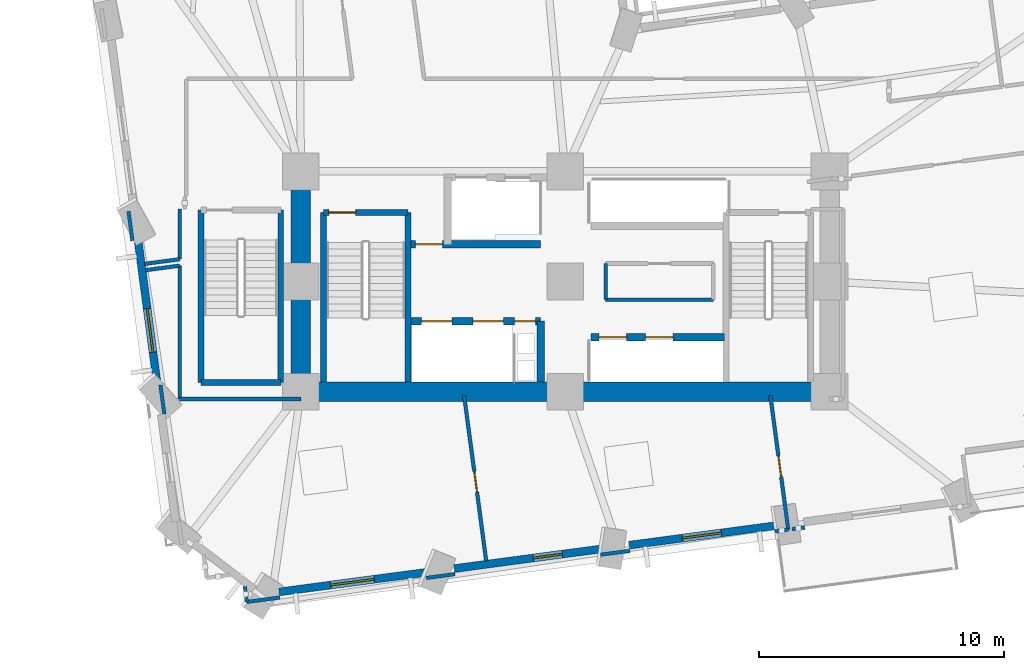
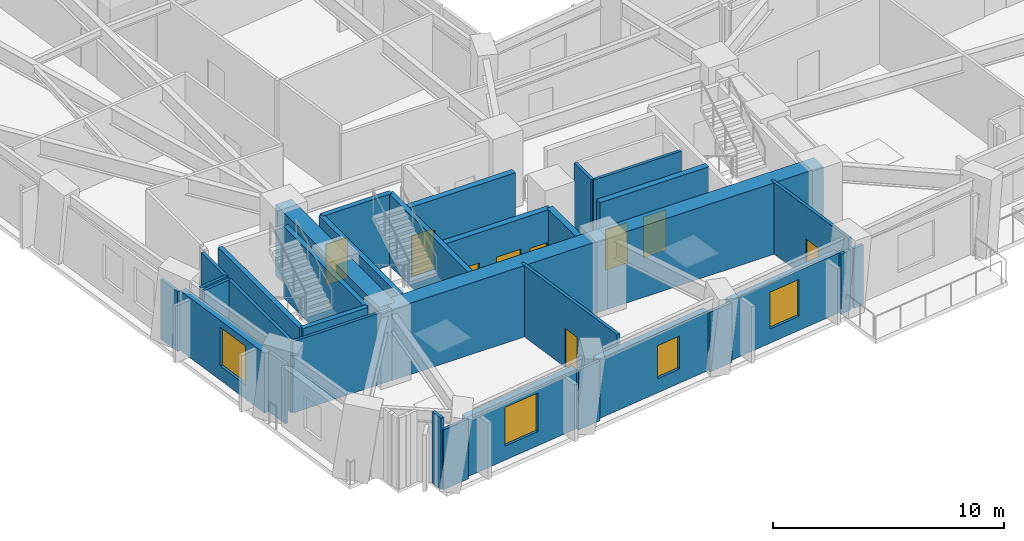
# One storey, part 6 of 14: 34 walls, 9 doors, 4 windows, 13 openings.
"""IFC4 building model written with IfcOpenShell, lengths in metres."""

from ifc_helpers import new_model, si_unit, direction, frame, frame_2d, origin, place, context, subcontext, project, spatial, rectangle, extrude, material, layer, layer_set, type_object, element, fill, save


model = new_model("IFC4")

# Units and contexts
model_context = context("Model", 3, precision=1e-05, world=origin(), true_north=direction((0.0, 1.0)))
body_context = subcontext(model_context, "Body", "Model", "MODEL_VIEW")
ifc_project = project(units=[si_unit("LENGTHUNIT", "METRE"), si_unit("AREAUNIT", "SQUARE_METRE"), si_unit("VOLUMEUNIT", "CUBIC_METRE"), si_unit("PLANEANGLEUNIT", "RADIAN"), si_unit("MASSUNIT", "GRAM", prefix="KILO")], contexts=[model_context])

# Site, building, storey
site_placement = place(None, origin())
site = spatial("IfcSite", under=ifc_project, at=site_placement, CompositionType="ELEMENT")
building_placement = place(site_placement, origin())
building = spatial("IfcBuilding", under=site, at=building_placement, Name="Gaonmaruhae Medical Tower", CompositionType="ELEMENT")
storey_placement = place(building_placement, frame((0.0, 0.0, 55.0)))
storey = spatial("IfcBuildingStorey", under=building, at=storey_placement, Name="L12", CompositionType="ELEMENT", Elevation=55.0)

# Walls
ifc_material_1 = material(Name="Concrete C60/75", Category="concrete")
ifc_layer_1 = layer(ifc_material_1, 0.800048828125)
ifc_layer_set_1 = layer_set([ifc_layer_1], Name="Concrete C60/75")
wall_type_1 = type_object("IfcWallType", Name="CW-800 Lower Core Shear Wall", PredefinedType="SHEAR", material=ifc_layer_set_1)
for number, where, z_axis, x_axis, name in (
    (1, (14.0, 7.800048828125, 0.0), (0.0, 0.0, 1.0), (1.0, 0.0, 0.0), "L12 Core Shear Wall CSW-S1"),
    (2, (24.800048828125, 7.800048828125, 0.0), (0.0, 0.0, 1.0), (1.0, 0.0, 0.0), "L12 Core Shear Wall CSW-S2"),
):
    element("IfcWall", number, at=place(storey_placement, frame(where, z_axis=z_axis, x_axis=x_axis)), inside=storey, type_object=wall_type_1, Name=name, PredefinedType="SHEAR", context=body_context, shape_type="SweptSolid", body=[
        extrude(rectangle(XDim=10.800048828125, YDim=0.800048828125, at=frame_2d((5.39990234375, 0.0))), origin(), (0.0, 0.0, 1.0), 3.780029296875),
    ])
wall_1_placement = place(storey_placement, frame((14.0, 16.800048828125, 0.0), z_axis=(0.0, 0.0, 1.0), x_axis=(0.0, -1.0, 0.0)))
element("IfcWall", 3, at=wall_1_placement, inside=storey, type_object=wall_type_1, Name="L12 Core Shear Wall CSW-W1", PredefinedType="SHEAR", context=body_context, shape_type="SweptSolid", body=[
    extrude(rectangle(XDim=9.0, YDim=0.800048828125, at=frame_2d((4.5, 0.0))), origin(), (0.0, 0.0, 1.0), 3.780029296875),
])

# Wall, opening, window
ifc_material_2 = material(Name="Precast concrete C45/55", Category="concrete")
ifc_layer_2 = layer(ifc_material_2, 0.320068359375)
ifc_layer_set_2 = layer_set([ifc_layer_2], Name="Precast concrete C45/55")
wall_type_2 = type_object("IfcWallType", Name="EW-320 Lower Precast Masonry-Frame Facade Wall", PredefinedType="SOLIDWALL", material=ifc_layer_set_2)
wall_2_placement = place(storey_placement, frame((19.091796875, 0.4169921875, 0.0), z_axis=(0.0, 0.0, 1.0), x_axis=(-0.991215529337, -0.132256472057, 0.0)))
wall_2 = element("IfcWall", 4, at=wall_2_placement, inside=storey, type_object=wall_type_2, Name="L12 Precast Masonry-Frame Wall S01-S02", PredefinedType="SOLIDWALL", context=body_context, shape_type="SweptSolid", body=[
    extrude(rectangle(XDim=6.034423828125, YDim=0.320068359375, at=frame_2d((3.01708984375, 0.0))), origin(), (0.0, 0.0, 1.0), 3.1650390625),
])
opening_1_placement = place(wall_2_placement, frame((2.11328125, 0.0, 0.75)))
opening_1 = element("IfcOpeningElement", 5, at=opening_1_placement, cuts=wall_2, Name="Opening WN-04", PredefinedType="OPENING", context=body_context, shape_type="SweptSolid", body=[
    extrude(rectangle(XDim=1.800048828125, YDim=2.050048828125, at=frame_2d((0.89990234375, 1.02490234375))), frame((0.0, 0.169921875, 0.0), z_axis=(0.0, -1.0, 0.0), x_axis=(1.0, 0.0, 0.0)), (0.0, 0.0, 1.0), 0.340087890625),
])
ifc_material_3 = material(Name="Anodised aluminium and Low-E double glazing", Category="aluminium")
window_type_1 = type_object("IfcWindowType", Name="WN-04 Clinic & Consult Punched Window 1800x2050", PartitioningType="SINGLE_PANEL", PredefinedType="WINDOW", material=ifc_material_3)
window_1_placement = place(opening_1_placement, origin())
window_1 = element("IfcWindow", 6, at=window_1_placement, inside=storey, type_object=window_type_1, Name="L12 Modular Facade Window S01", OverallHeight=2.050048828125, OverallWidth=1.800048828125, PartitioningType="SINGLE_PANEL", PredefinedType="WINDOW", context=body_context, shape_type="SweptSolid", body=[
    extrude(rectangle(XDim=1.800048828125, YDim=2.050048828125, at=frame_2d((0.89990234375, 1.02490234375))), frame((0.0, 0.030029296875, 0.0), z_axis=(0.0, -1.0, 0.0), x_axis=(1.0, 0.0, 0.0)), (0.0, 0.0, 1.0), 0.06005859375),
])
fill(opening_1, window_1)

wall_3_placement = place(storey_placement, frame((26.216796875, 1.36767578125, 0.0), z_axis=(0.0, 0.0, 1.0), x_axis=(-0.991217601536, -0.132240940729, 0.0)))
wall_3 = element("IfcWall", 7, at=wall_3_placement, inside=storey, type_object=wall_type_2, Name="L12 Precast Masonry-Frame Wall S02-S03", PredefinedType="SOLIDWALL", context=body_context, shape_type="SweptSolid", body=[
    extrude(rectangle(XDim=6.005615234375, YDim=0.320068359375, at=frame_2d((3.0029296875, 0.0))), origin(), (0.0, 0.0, 1.0), 3.1650390625),
])
opening_2_placement = place(wall_3_placement, frame((1.550048828125, 0.0, 0.75)))
opening_2 = element("IfcOpeningElement", 8, at=opening_2_placement, cuts=wall_3, Name="Opening WN-05", PredefinedType="OPENING", context=body_context, shape_type="SweptSolid", body=[
    extrude(rectangle(XDim=1.199951171875, YDim=1.75, at=frame_2d((0.60009765625, 0.875))), frame((0.0, 0.169921875, 0.0), z_axis=(0.0, -1.0, 0.0), x_axis=(1.0, 0.0, 0.0)), (0.0, 0.0, 1.0), 0.340087890625),
])
window_type_2 = type_object("IfcWindowType", Name="WN-05 Support & Staff Punched Window 1200x1750", PartitioningType="SINGLE_PANEL", PredefinedType="WINDOW", material=ifc_material_3)
window_2_placement = place(opening_2_placement, origin())
window_2 = element("IfcWindow", 9, at=window_2_placement, inside=storey, type_object=window_type_2, Name="L12 Modular Facade Window S02", OverallHeight=1.75, OverallWidth=1.199951171875, PartitioningType="SINGLE_PANEL", PredefinedType="WINDOW", context=body_context, shape_type="SweptSolid", body=[
    extrude(rectangle(XDim=1.199951171875, YDim=1.75, at=frame_2d((0.60009765625, 0.875))), frame((0.0, 0.030029296875, 0.0), z_axis=(0.0, -1.0, 0.0), x_axis=(1.0, 0.0, 0.0)), (0.0, 0.0, 1.0), 0.06005859375),
])
fill(opening_2, window_2)

wall_4_placement = place(storey_placement, frame((33.34814453125, 2.319091796875, 0.0), z_axis=(0.0, 0.0, 1.0), x_axis=(-0.991219354878, -0.132227797813, 0.0)))
wall_4 = element("IfcWall", 10, at=wall_4_placement, inside=storey, type_object=wall_type_2, Name="L12 Precast Masonry-Frame Wall S03-S04", PredefinedType="SOLIDWALL", context=body_context, shape_type="SweptSolid", body=[
    extrude(rectangle(XDim=5.989501953125, YDim=0.320068359375, at=frame_2d((2.99462890625, 0.0))), origin(), (0.0, 0.0, 1.0), 3.1650390625),
])
opening_3_placement = place(wall_4_placement, frame((2.193603515625, 0.0, 0.75)))
opening_3 = element("IfcOpeningElement", 11, at=opening_3_placement, cuts=wall_4, Name="Opening WN-01", PredefinedType="OPENING", context=body_context, shape_type="SweptSolid", body=[
    extrude(rectangle(XDim=1.60009765625, YDim=1.949951171875, at=frame_2d((0.800048828125, 0.97509765625))), frame((0.0, 0.169921875, 0.0), z_axis=(0.0, -1.0, 0.0), x_axis=(1.0, 0.0, 0.0)), (0.0, 0.0, 1.0), 0.340087890625),
])
window_type_3 = type_object("IfcWindowType", Name="WN-01 Ward Punched Acoustic Window 1600x1950", PartitioningType="SINGLE_PANEL", PredefinedType="WINDOW", material=ifc_material_3)
window_3_placement = place(opening_3_placement, origin())
window_3 = element("IfcWindow", 12, at=window_3_placement, inside=storey, type_object=window_type_3, Name="L12 Modular Facade Window S03", OverallHeight=1.949951171875, OverallWidth=1.60009765625, PartitioningType="SINGLE_PANEL", PredefinedType="WINDOW", context=body_context, shape_type="SweptSolid", body=[
    extrude(rectangle(XDim=1.60009765625, YDim=1.949951171875, at=frame_2d((0.800048828125, 0.97509765625))), frame((0.0, 0.030029296875, 0.0), z_axis=(0.0, -1.0, 0.0), x_axis=(1.0, 0.0, 0.0)), (0.0, 0.0, 1.0), 0.06005859375),
])
fill(opening_3, window_3)

wall_5_placement = place(storey_placement, frame((8.140869140625, 8.05615234375, 0.0), z_axis=(0.0, 0.0, 1.0), x_axis=(-0.132267717254, 0.991214028842, 0.0)))
wall_5 = element("IfcWall", 13, at=wall_5_placement, inside=storey, type_object=wall_type_2, Name="L12 Precast Masonry-Frame Wall W05-W06", PredefinedType="SOLIDWALL", context=body_context, shape_type="SweptSolid", body=[
    extrude(rectangle(XDim=5.9970703125, YDim=0.320068359375, at=frame_2d((2.99853515625, 0.0))), origin(), (0.0, 0.0, 1.0), 3.1650390625),
])
opening_4_placement = place(wall_5_placement, frame((1.3623046875, 0.0, 0.75)))
opening_4 = element("IfcOpeningElement", 14, at=opening_4_placement, cuts=wall_5, Name="Opening WN-04", PredefinedType="OPENING", context=body_context, shape_type="SweptSolid", body=[
    extrude(rectangle(XDim=1.800048828125, YDim=2.050048828125, at=frame_2d((0.89990234375, 1.02490234375))), frame((0.0, 0.169921875, 0.0), z_axis=(0.0, -1.0, 0.0), x_axis=(1.0, 0.0, 0.0)), (0.0, 0.0, 1.0), 0.340087890625),
])
window_4_placement = place(opening_4_placement, origin())
window_4 = element("IfcWindow", 15, at=window_4_placement, inside=storey, type_object=window_type_1, Name="L12 Modular Facade Window W05", OverallHeight=2.050048828125, OverallWidth=1.800048828125, PartitioningType="SINGLE_PANEL", PredefinedType="WINDOW", context=body_context, shape_type="SweptSolid", body=[
    extrude(rectangle(XDim=1.800048828125, YDim=2.050048828125, at=frame_2d((0.89990234375, 1.02490234375))), frame((0.0, 0.030029296875, 0.0), z_axis=(0.0, -1.0, 0.0), x_axis=(1.0, 0.0, 0.0)), (0.0, 0.0, 1.0), 0.06005859375),
])
fill(opening_4, window_4)

# Walls
ifc_material_4 = material(Name="Gypsum board partition", Category="gypsum")
ifc_layer_3 = layer(ifc_material_4, 0.14990234375)
ifc_layer_set_3 = layer_set([ifc_layer_3], Name="Gypsum board partition")
wall_type_3 = type_object("IfcWallType", Name="PW-150 Rated Clinical Corridor Partition", PredefinedType="PARTITIONING", material=ifc_layer_set_3)
wall_6_placement = place(storey_placement, frame((26.449951171875, 11.56005859375, 0.0), z_axis=(0.0, 0.0, 1.0), x_axis=(0.0, 1.0, 0.0)))
element("IfcWall", 16, at=wall_6_placement, inside=storey, type_object=wall_type_3, Name="L12 Interior Partition L12-CS1-1", PredefinedType="PARTITIONING", context=body_context, shape_type="SweptSolid", body=[
    extrude(rectangle(XDim=1.47998046875, YDim=0.14990234375, at=frame_2d((0.739990234375, 0.0))), origin(), (0.0, 0.0, 1.0), 3.780029296875),
])
wall_7_placement = place(storey_placement, frame((30.85009765625, 11.56005859375, 0.0), z_axis=(0.0, 0.0, 1.0), x_axis=(-1.0, 0.0, 0.0)))
element("IfcWall", 17, at=wall_7_placement, inside=storey, type_object=wall_type_3, Name="L12 Interior Partition L12-CS1-4", PredefinedType="PARTITIONING", context=body_context, shape_type="SweptSolid", body=[
    extrude(rectangle(XDim=4.400146484375, YDim=0.14990234375, at=frame_2d((2.2001953125, 0.0))), origin(), (0.0, 0.0, 1.0), 3.780029296875),
])
wall_8_placement = place(storey_placement, frame((7.64892578125, 12.761962890625, 0.0), z_axis=(0.0, 0.0, 1.0), x_axis=(0.99120979028, 0.132299477148, 0.0)))
element("IfcWall", 18, at=wall_8_placement, inside=storey, type_object=wall_type_3, Name="L12 Interior Partition L12-SUP01-5", PredefinedType="PARTITIONING", context=body_context, shape_type="SweptSolid", body=[
    extrude(rectangle(XDim=1.41357421875, YDim=0.14990234375, at=frame_2d((0.706787109375, 0.0))), origin(), (0.0, 0.0, 1.0), 3.780029296875),
])
wall_9_placement = place(storey_placement, frame((9.050048828125, 12.948974609375, 0.0), z_axis=(0.0, 0.0, 1.0), x_axis=(0.0, -1.0, 0.0)))
element("IfcWall", 19, at=wall_9_placement, inside=storey, type_object=wall_type_3, Name="L12 Interior Partition L12-SUP01-6", PredefinedType="PARTITIONING", context=body_context, shape_type="SweptSolid", body=[
    extrude(rectangle(XDim=5.448974609375, YDim=0.14990234375, at=frame_2d((2.724609375, 0.0))), origin(), (0.0, 0.0, 1.0), 3.780029296875),
])
wall_10_placement = place(storey_placement, frame((9.050048828125, 7.5, 0.0), z_axis=(0.0, 0.0, 1.0), x_axis=(1.0, 0.0, 0.0)))
element("IfcWall", 20, at=wall_10_placement, inside=storey, type_object=wall_type_3, Name="L12 Interior Partition L12-SUP01-7", PredefinedType="PARTITIONING", context=body_context, shape_type="SweptSolid", body=[
    extrude(rectangle(XDim=4.949951171875, YDim=0.14990234375, at=frame_2d((2.47509765625, 0.0))), origin(), (0.0, 0.0, 1.0), 3.780029296875),
])

# Wall, opening, door
wall_11_placement = place(storey_placement, frame((20.6708984375, 7.64111328125, 0.0), z_axis=(0.0, 0.0, 1.0), x_axis=(0.132330273693, -0.991205679294, 0.0)))
wall_11 = element("IfcWall", 21, at=wall_11_placement, inside=storey, type_object=wall_type_3, Name="L12 Interior Partition L12-SUP01-8", PredefinedType="PARTITIONING", context=body_context, shape_type="SweptSolid", body=[
    extrude(rectangle(XDim=6.817138671875, YDim=0.14990234375, at=frame_2d((3.40869140625, 0.0))), origin(), (0.0, 0.0, 1.0), 3.780029296875),
])
opening_5_placement = place(wall_11_placement, frame((3.1298828125, 0.0, 0.0)))
opening_5 = element("IfcOpeningElement", 22, at=opening_5_placement, cuts=wall_11, Name="Opening AD-01", PredefinedType="OPENING", context=body_context, shape_type="SweptSolid", body=[
    extrude(rectangle(XDim=0.860107421875, YDim=2.06005859375, at=frame_2d((0.43017578125, 1.030029296875))), frame((0.0, 0.0849609375, 0.0), z_axis=(0.0, -1.0, 0.0), x_axis=(1.0, 0.0, 0.0)), (0.0, 0.0, 1.0), 0.169921875),
])
ifc_material_5 = material(Name="Powder-coated steel access door", Category="steel")
door_type_1 = type_object("IfcDoorType", Name="AD-01 Riser & Closet Access Fire Door 860x2060", OperationType="NOTDEFINED", PredefinedType="DOOR", material=ifc_material_5)
door_1_placement = place(opening_5_placement, origin())
door_1 = element("IfcDoor", 23, at=door_1_placement, inside=storey, type_object=door_type_1, Name="L12 Clinical Biomedical Charting Office Sliding Door", OperationType="SLIDING_TO_LEFT", OverallHeight=2.06005859375, OverallWidth=0.860107421875, PredefinedType="DOOR", context=body_context, shape_type="SweptSolid", body=[
    extrude(rectangle(XDim=0.860107421875, YDim=2.06005859375, at=frame_2d((0.43017578125, 1.030029296875))), frame((0.0, 0.02490234375, 0.0), z_axis=(0.0, -1.0, 0.0), x_axis=(1.0, 0.0, 0.0)), (0.0, 0.0, 1.0), 0.050048828125),
])
fill(opening_5, door_1)

# Walls
wall_12_placement = place(storey_placement, frame((20.2939453125, 0.344970703125, 0.0), z_axis=(0.0, 0.0, 1.0), x_axis=(-0.991254933816, -0.131960813064, 0.0)))
element("IfcWall", 24, at=wall_12_placement, inside=storey, type_object=wall_type_3, Name="L12 Interior Partition L12-SUP01-9", PredefinedType="PARTITIONING", context=body_context, shape_type="SweptSolid", body=[
    extrude(rectangle(XDim=1.18212890625, YDim=0.14990234375, at=frame_2d((0.591064453125, 0.0))), origin(), (0.0, 0.0, 1.0), 3.1650390625),
])
wall_13_placement = place(storey_placement, frame((13.14111328125, -0.60888671875, 0.0), z_axis=(0.0, 0.0, 1.0), x_axis=(-0.991187094209, -0.132469408824, 0.0)))
element("IfcWall", 25, at=wall_13_placement, inside=storey, type_object=wall_type_3, Name="L12 Interior Partition L12-SUP01-10", PredefinedType="PARTITIONING", context=body_context, shape_type="SweptSolid", body=[
    extrude(rectangle(XDim=1.360107421875, YDim=0.14990234375, at=frame_2d((0.68017578125, 0.0))), origin(), (0.0, 0.0, 1.0), 3.1650390625),
])
wall_14_placement = place(storey_placement, frame((11.79296875, -0.7890625, 0.0), z_axis=(0.0, 0.0, 1.0), x_axis=(-0.131512606017, 0.991314498259, 0.0)))
element("IfcWall", 26, at=wall_14_placement, inside=storey, type_object=wall_type_3, Name="L12 Interior Partition L12-SUP01-11", PredefinedType="PARTITIONING", context=body_context, shape_type="SweptSolid", body=[
    extrude(rectangle(XDim=0.638671875, YDim=0.14990234375, at=frame_2d((0.3193359375, 0.0))), origin(), (0.0, 0.0, 1.0), 3.780029296875),
])
wall_15_placement = place(storey_placement, frame((8.423095703125, 6.888916015625, 0.0), z_axis=(0.0, 0.0, 1.0), x_axis=(-0.132431448264, 0.991192166792, 0.0)))
element("IfcWall", 27, at=wall_15_placement, inside=storey, type_object=wall_type_3, Name="L12 Interior Partition L12-SUP01-15", PredefinedType="PARTITIONING", context=body_context, shape_type="SweptSolid", body=[
    extrude(rectangle(XDim=1.194580078125, YDim=0.14990234375, at=frame_2d((0.59716796875, 0.0))), origin(), (0.0, 0.0, 1.0), 3.1650390625),
])
wall_16_placement = place(storey_placement, frame((33.912109375, 2.162109375, 0.0), z_axis=(0.0, 0.0, 1.0), x_axis=(-0.991239788313, -0.132074532234, 0.0)))
element("IfcWall", 28, at=wall_16_placement, inside=storey, type_object=wall_type_3, Name="L12 Interior Partition L12-SUP02-16", PredefinedType="PARTITIONING", context=body_context, shape_type="SweptSolid", body=[
    extrude(rectangle(XDim=0.537841796875, YDim=0.14990234375, at=frame_2d((0.26904296875, 0.0))), origin(), (0.0, 0.0, 1.0), 3.1650390625),
])
wall_17_placement = place(storey_placement, frame((27.44189453125, 1.299072265625, 0.0), z_axis=(0.0, 0.0, 1.0), x_axis=(-0.991242046428, -0.132057583627, 0.0)))
element("IfcWall", 29, at=wall_17_placement, inside=storey, type_object=wall_type_3, Name="L12 Interior Partition L12-SUP02-17", PredefinedType="PARTITIONING", context=body_context, shape_type="SweptSolid", body=[
    extrude(rectangle(XDim=1.205322265625, YDim=0.14990234375, at=frame_2d((0.6025390625, 0.0))), origin(), (0.0, 0.0, 1.0), 3.1650390625),
])

# Wall, opening, door
wall_18_placement = place(storey_placement, frame((33.180908203125, 7.64111328125, 0.0), z_axis=(0.0, 0.0, 1.0), x_axis=(0.132282335523, -0.991212078068, 0.0)))
wall_18 = element("IfcWall", 30, at=wall_18_placement, inside=storey, type_object=wall_type_3, Name="L12 Interior Partition L12-SUP02-18", PredefinedType="PARTITIONING", context=body_context, shape_type="SweptSolid", body=[
    extrude(rectangle(XDim=5.527587890625, YDim=0.14990234375, at=frame_2d((2.763671875, 0.0))), origin(), (0.0, 0.0, 1.0), 3.780029296875),
])
opening_6_placement = place(wall_18_placement, frame((2.4853515625, 0.0, 0.0)))
opening_6 = element("IfcOpeningElement", 31, at=opening_6_placement, cuts=wall_18, Name="Opening AD-01", PredefinedType="OPENING", context=body_context, shape_type="SweptSolid", body=[
    extrude(rectangle(XDim=0.860107421875, YDim=2.06005859375, at=frame_2d((0.43017578125, 1.030029296875))), frame((0.0, 0.0849609375, 0.0), z_axis=(0.0, -1.0, 0.0), x_axis=(1.0, 0.0, 0.0)), (0.0, 0.0, 1.0), 0.169921875),
])
door_2_placement = place(opening_6_placement, origin())
door_2 = element("IfcDoor", 32, at=door_2_placement, inside=storey, type_object=door_type_1, Name="L12 Clinical Biomedical Charting Office Sliding Door", OperationType="SLIDING_TO_LEFT", OverallHeight=2.06005859375, OverallWidth=0.860107421875, PredefinedType="DOOR", context=body_context, shape_type="SweptSolid", body=[
    extrude(rectangle(XDim=0.860107421875, YDim=2.06005859375, at=frame_2d((0.43017578125, 1.030029296875))), frame((0.0, 0.02490234375, 0.0), z_axis=(0.0, -1.0, 0.0), x_axis=(1.0, 0.0, 0.0)), (0.0, 0.0, 1.0), 0.050048828125),
])
fill(opening_6, door_2)

# Walls
wall_19_placement = place(storey_placement, frame((34.5830078125, 2.251953125, 0.0), z_axis=(0.0, 0.0, 1.0), x_axis=(-0.991359278326, -0.131174621311, 0.0)))
element("IfcWall", 33, at=wall_19_placement, inside=storey, type_object=wall_type_3, Name="L12 Interior Partition L12-SUP03-31", PredefinedType="PARTITIONING", context=body_context, shape_type="SweptSolid", body=[
    extrude(rectangle(XDim=0.517333984375, YDim=0.14990234375, at=frame_2d((0.2587890625, 0.0))), origin(), (0.0, 0.0, 1.0), 3.1650390625),
])
wall_20_placement = place(storey_placement, frame((9.050048828125, 15.260009765625, 0.0), z_axis=(0.0, 0.0, 1.0), x_axis=(0.0, -1.0, 0.0)))
element("IfcWall", 34, at=wall_20_placement, inside=storey, type_object=wall_type_3, Name="L12 Interior Partition L12-WOF06-48", PredefinedType="PARTITIONING", context=body_context, shape_type="SweptSolid", body=[
    extrude(rectangle(XDim=2.049072265625, YDim=0.14990234375, at=frame_2d((1.0244140625, 0.0))), origin(), (0.0, 0.0, 1.0), 3.780029296875),
])
wall_21_placement = place(storey_placement, frame((9.050048828125, 13.2109375, 0.0), z_axis=(0.0, 0.0, 1.0), x_axis=(-0.991266152883, -0.131876510982, 0.0)))
element("IfcWall", 35, at=wall_21_placement, inside=storey, type_object=wall_type_3, Name="L12 Interior Partition L12-WOF06-49", PredefinedType="PARTITIONING", context=body_context, shape_type="SweptSolid", body=[
    extrude(rectangle(XDim=1.44775390625, YDim=0.14990234375, at=frame_2d((0.723876953125, 0.0))), origin(), (0.0, 0.0, 1.0), 3.780029296875),
])
wall_22_placement = place(storey_placement, frame((7.1201171875, 13.969970703125, 0.0), z_axis=(0.0, 0.0, 1.0), x_axis=(-0.132295817468, 0.99121027874, 0.0)))
element("IfcWall", 36, at=wall_22_placement, inside=storey, type_object=wall_type_3, Name="L12 Interior Partition L12-WOF06-50", PredefinedType="PARTITIONING", context=body_context, shape_type="SweptSolid", body=[
    extrude(rectangle(XDim=1.210693359375, YDim=0.14990234375, at=frame_2d((0.60546875, 0.0))), origin(), (0.0, 0.0, 1.0), 3.1650390625),
])

# Wall, opening, door
ifc_material_6 = material(Name="Concrete C50/60", Category="concrete")
ifc_layer_4 = layer(ifc_material_6, 0.239990234375)
ifc_layer_set_4 = layer_set([ifc_layer_4], Name="Concrete C50/60")
wall_type_4 = type_object("IfcWallType", Name="SW-240 Dogleg Stair Tight Shaft Wall", PredefinedType="SOLIDWALL", material=ifc_layer_set_4)
wall_23_placement = place(storey_placement, frame((14.919921875, 15.1201171875, 0.0), z_axis=(0.0, 0.0, 1.0), x_axis=(1.0, 0.0, 0.0)))
wall_23 = element("IfcWall", 37, at=wall_23_placement, inside=storey, type_object=wall_type_4, Name="L12 ST-01 Stair Shaft Wall SHW-ST-01-N", PredefinedType="SOLIDWALL", context=body_context, shape_type="SweptSolid", body=[
    extrude(rectangle(XDim=3.4599609375, YDim=0.239990234375, at=frame_2d((1.72998046875, 0.0))), origin(), (0.0, 0.0, 1.0), 3.780029296875),
])
opening_7_placement = place(wall_23_placement, frame((0.219970703125, 0.0, 0.0)))
opening_7 = element("IfcOpeningElement", 38, at=opening_7_placement, cuts=wall_23, Name="Opening FD-01", PredefinedType="OPENING", context=body_context, shape_type="SweptSolid", body=[
    extrude(rectangle(XDim=1.10009765625, YDim=2.14990234375, at=frame_2d((0.550048828125, 1.074951171875))), frame((0.0, 0.1298828125, 0.0), z_axis=(0.0, -1.0, 0.0), x_axis=(1.0, 0.0, 0.0)), (0.0, 0.0, 1.0), 0.260009765625),
])
ifc_material_7 = material(Name="Powder-coated steel fire door", Category="steel")
door_type_2 = type_object("IfcDoorType", Name="FD-01 Escape Stair Protected Fire Door 1100x2150", OperationType="NOTDEFINED", PredefinedType="DOOR", material=ifc_material_7)
door_3_placement = place(opening_7_placement, origin())
door_3 = element("IfcDoor", 39, at=door_3_placement, inside=storey, type_object=door_type_2, Name="L12 ST-01 Protected Escape Stair Door", OperationType="SINGLE_SWING_LEFT", OverallHeight=2.14990234375, OverallWidth=1.10009765625, PredefinedType="DOOR", context=body_context, shape_type="SweptSolid", body=[
    extrude(rectangle(XDim=1.10009765625, YDim=2.14990234375, at=frame_2d((0.550048828125, 1.074951171875))), frame((0.0, 0.02490234375, 0.0), z_axis=(0.0, -1.0, 0.0), x_axis=(1.0, 0.0, 0.0)), (0.0, 0.0, 1.0), 0.050048828125),
])
fill(opening_7, door_3)

# Walls
for number, where, z_axis, x_axis, name in (
    (40, (18.3798828125, 15.1201171875, 0.0), (0.0, 0.0, 1.0), (0.0, -1.0, 0.0), "L12 ST-01 Stair Shaft Wall SHW-ST-01-E"),
    (41, (14.919921875, 8.199951171875, 0.0), (0.0, 0.0, 1.0), (0.0, 1.0, 0.0), "L12 ST-01 Stair Shaft Wall SHW-ST-01-W"),
):
    element("IfcWall", number, at=place(storey_placement, frame(where, z_axis=z_axis, x_axis=x_axis)), inside=storey, type_object=wall_type_4, Name=name, PredefinedType="SOLIDWALL", context=body_context, shape_type="SweptSolid", body=[
        extrude(rectangle(XDim=6.920166015625, YDim=0.239990234375, at=frame_2d((3.4599609375, 0.0))), origin(), (0.0, 0.0, 1.0), 3.780029296875),
    ])
wall_24_placement = place(storey_placement, frame((13.179931640625, 15.219970703125, 0.0), z_axis=(0.0, 0.0, 1.0), x_axis=(0.0, -1.0, 0.0)))
element("IfcWall", 42, at=wall_24_placement, inside=storey, type_object=wall_type_4, Name="L12 ST-03 Stair Shaft Wall SHW-ST-03-E", PredefinedType="SOLIDWALL", context=body_context, shape_type="SweptSolid", body=[
    extrude(rectangle(XDim=7.050048828125, YDim=0.239990234375, at=frame_2d((3.52490234375, 0.0))), origin(), (0.0, 0.0, 1.0), 3.780029296875),
])
wall_25_placement = place(storey_placement, frame((13.179931640625, 8.169921875, 0.0), z_axis=(0.0, 0.0, 1.0), x_axis=(-1.0, 0.0, 0.0)))
element("IfcWall", 43, at=wall_25_placement, inside=storey, type_object=wall_type_4, Name="L12 ST-03 Stair Shaft Wall SHW-ST-03-S", PredefinedType="SOLIDWALL", context=body_context, shape_type="SweptSolid", body=[
    extrude(rectangle(XDim=3.260009765625, YDim=0.239990234375, at=frame_2d((1.6298828125, 0.0))), origin(), (0.0, 0.0, 1.0), 3.780029296875),
])
wall_26_placement = place(storey_placement, frame((9.919921875, 8.169921875, 0.0), z_axis=(0.0, 0.0, 1.0), x_axis=(0.0, 1.0, 0.0)))
element("IfcWall", 44, at=wall_26_placement, inside=storey, type_object=wall_type_4, Name="L12 ST-03 Stair Shaft Wall SHW-ST-03-W", PredefinedType="SOLIDWALL", context=body_context, shape_type="SweptSolid", body=[
    extrude(rectangle(XDim=7.050048828125, YDim=0.239990234375, at=frame_2d((3.52490234375, 0.0))), origin(), (0.0, 0.0, 1.0), 3.780029296875),
])

# Wall, openings, doors
ifc_layer_5 = layer(ifc_material_6, 0.300048828125)
ifc_layer_set_5 = layer_set([ifc_layer_5], Name="Concrete C50/60")
wall_type_5 = type_object("IfcWallType", Name="SW-300 Stair & Lift Hoistway Shaft Wall", PredefinedType="SOLIDWALL", material=ifc_layer_set_5)
wall_27_placement = place(storey_placement, frame((18.5, 10.679931640625, 0.0), z_axis=(0.0, 0.0, 1.0), x_axis=(1.0, 0.0, 0.0)))
wall_27 = element("IfcWall", 45, at=wall_27_placement, inside=storey, type_object=wall_type_5, Name="L12 Shaft Enclosure Wall SHW-FFN", PredefinedType="SOLIDWALL", context=body_context, shape_type="SweptSolid", body=[
    extrude(rectangle(XDim=5.300048828125, YDim=0.300048828125, at=frame_2d((2.64990234375, 0.0))), origin(), (0.0, 0.0, 1.0), 3.780029296875),
])
opening_8_placement = place(wall_27_placement, frame((4.219970703125, 0.0, 0.0)))
opening_8 = element("IfcOpeningElement", 46, at=opening_8_placement, cuts=wall_27, Name="Opening AD-01", PredefinedType="OPENING", context=body_context, shape_type="SweptSolid", body=[
    extrude(rectangle(XDim=0.860107421875, YDim=2.06005859375, at=frame_2d((0.43017578125, 1.030029296875))), frame((0.0, 0.16015625, 0.0), z_axis=(0.0, -1.0, 0.0), x_axis=(1.0, 0.0, 0.0)), (0.0, 0.0, 1.0), 0.320068359375),
])
opening_9_placement = place(wall_27_placement, frame((0.425048828125, 0.0, 0.0)))
opening_9 = element("IfcOpeningElement", 47, at=opening_9_placement, cuts=wall_27, Name="Opening LD-F1", PredefinedType="OPENING", context=body_context, shape_type="SweptSolid", body=[
    extrude(rectangle(XDim=1.25, YDim=2.179931640625, at=frame_2d((0.625, 1.08984375))), frame((0.0, 0.16015625, 0.0), z_axis=(0.0, -1.0, 0.0), x_axis=(1.0, 0.0, 0.0)), (0.0, 0.0, 1.0), 0.320068359375),
])
opening_10_placement = place(wall_27_placement, frame((2.52490234375, 0.0, 0.0)))
opening_10 = element("IfcOpeningElement", 48, at=opening_10_placement, cuts=wall_27, Name="Opening LD-F1", PredefinedType="OPENING", context=body_context, shape_type="SweptSolid", body=[
    extrude(rectangle(XDim=1.25, YDim=2.179931640625, at=frame_2d((0.625, 1.08984375))), frame((0.0, 0.16015625, 0.0), z_axis=(0.0, -1.0, 0.0), x_axis=(1.0, 0.0, 0.0)), (0.0, 0.0, 1.0), 0.320068359375),
])
door_4_placement = place(opening_8_placement, origin())
door_4 = element("IfcDoor", 49, at=door_4_placement, inside=storey, type_object=door_type_1, Name="L12 Medical Gas and MEP Riser Access Door", OperationType="SINGLE_SWING_RIGHT", OverallHeight=2.06005859375, OverallWidth=0.860107421875, PredefinedType="DOOR", context=body_context, shape_type="SweptSolid", body=[
    extrude(rectangle(XDim=0.860107421875, YDim=2.06005859375, at=frame_2d((0.43017578125, 1.030029296875))), frame((0.0, 0.02490234375, 0.0), z_axis=(0.0, -1.0, 0.0), x_axis=(1.0, 0.0, 0.0)), (0.0, 0.0, 1.0), 0.050048828125),
])
fill(opening_8, door_4)
ifc_material_8 = material(Name="Brushed stainless steel 316L landing door", Category="steel")
door_type_3 = type_object("IfcDoorType", Name="LD-F1 Firefighting & Bed Lift Sliding Landing Door 1250x2180", OperationType="NOTDEFINED", PredefinedType="DOOR", material=ifc_material_8)
door_5_placement = place(opening_9_placement, origin())
door_5 = element("IfcDoor", 50, at=door_5_placement, inside=storey, type_object=door_type_3, Name="L12 Firefighting Lift Landing Door FFL-01", OperationType="DOUBLE_DOOR_SLIDING", OverallHeight=2.179931640625, OverallWidth=1.25, PredefinedType="DOOR", context=body_context, shape_type="SweptSolid", body=[
    extrude(rectangle(XDim=1.25, YDim=2.179931640625, at=frame_2d((0.625, 1.08984375))), frame((0.0, 0.02490234375, 0.0), z_axis=(0.0, -1.0, 0.0), x_axis=(1.0, 0.0, 0.0)), (0.0, 0.0, 1.0), 0.050048828125),
])
fill(opening_9, door_5)
door_6_placement = place(opening_10_placement, origin())
door_6 = element("IfcDoor", 51, at=door_6_placement, inside=storey, type_object=door_type_3, Name="L12 Firefighting Lift Landing Door FFL-02", OperationType="DOUBLE_DOOR_SLIDING", OverallHeight=2.179931640625, OverallWidth=1.25, PredefinedType="DOOR", context=body_context, shape_type="SweptSolid", body=[
    extrude(rectangle(XDim=1.25, YDim=2.179931640625, at=frame_2d((0.625, 1.08984375))), frame((0.0, 0.02490234375, 0.0), z_axis=(0.0, -1.0, 0.0), x_axis=(1.0, 0.0, 0.0)), (0.0, 0.0, 1.0), 0.050048828125),
])
fill(opening_10, door_6)

# Wall, opening, door
wall_28_placement = place(storey_placement, frame((18.5, 13.820068359375, 0.0), z_axis=(0.0, 0.0, 1.0), x_axis=(1.0, 0.0, 0.0)))
wall_28 = element("IfcWall", 52, at=wall_28_placement, inside=storey, type_object=wall_type_5, Name="L12 Shaft Enclosure Wall SHW-FFL", PredefinedType="SOLIDWALL", context=body_context, shape_type="SweptSolid", body=[
    extrude(rectangle(XDim=5.300048828125, YDim=0.300048828125, at=frame_2d((2.64990234375, 0.0))), origin(), (0.0, 0.0, 1.0), 3.780029296875),
])
opening_11_placement = place(wall_28_placement, frame((0.179931640625, 0.0, 0.0)))
opening_11 = element("IfcOpeningElement", 53, at=opening_11_placement, cuts=wall_28, Name="Opening FD-01", PredefinedType="OPENING", context=body_context, shape_type="SweptSolid", body=[
    extrude(rectangle(XDim=1.10009765625, YDim=2.14990234375, at=frame_2d((0.550048828125, 1.074951171875))), frame((0.0, 0.16015625, 0.0), z_axis=(0.0, -1.0, 0.0), x_axis=(1.0, 0.0, 0.0)), (0.0, 0.0, 1.0), 0.320068359375),
])
door_7_placement = place(opening_11_placement, origin())
door_7 = element("IfcDoor", 54, at=door_7_placement, inside=storey, type_object=door_type_2, Name="L12 Firefighting Lobby Smoke Door", OperationType="SINGLE_SWING_LEFT", OverallHeight=2.14990234375, OverallWidth=1.10009765625, PredefinedType="DOOR", context=body_context, shape_type="SweptSolid", body=[
    extrude(rectangle(XDim=1.10009765625, YDim=2.14990234375, at=frame_2d((0.550048828125, 1.074951171875))), frame((0.0, 0.02490234375, 0.0), z_axis=(0.0, -1.0, 0.0), x_axis=(1.0, 0.0, 0.0)), (0.0, 0.0, 1.0), 0.050048828125),
])
fill(opening_11, door_7)

# Wall
wall_29_placement = place(storey_placement, frame((23.800048828125, 8.199951171875, 0.0), z_axis=(0.0, 0.0, 1.0), x_axis=(0.0, 1.0, 0.0)))
element("IfcWall", 55, at=wall_29_placement, inside=storey, type_object=wall_type_5, Name="L12 Shaft Enclosure Wall SHW-FFE", PredefinedType="SOLIDWALL", context=body_context, shape_type="SweptSolid", body=[
    extrude(rectangle(XDim=2.47998046875, YDim=0.300048828125, at=frame_2d((1.239990234375, 0.0))), origin(), (0.0, 0.0, 1.0), 3.780029296875),
])

# Wall, openings, doors
wall_30_placement = place(storey_placement, frame((25.85009765625, 10.02001953125, 0.0), z_axis=(0.0, 0.0, 1.0), x_axis=(1.0, 0.0, 0.0)))
wall_30 = element("IfcWall", 56, at=wall_30_placement, inside=storey, type_object=wall_type_5, Name="L12 Shaft Enclosure Wall SHW-PLS", PredefinedType="SOLIDWALL", context=body_context, shape_type="SweptSolid", body=[
    extrude(rectangle(XDim=5.449951171875, YDim=0.300048828125, at=frame_2d((2.72509765625, 0.0))), origin(), (0.0, 0.0, 1.0), 3.780029296875),
])
opening_12_placement = place(wall_30_placement, frame((0.340087890625, 0.0, 0.0)))
opening_12 = element("IfcOpeningElement", 57, at=opening_12_placement, cuts=wall_30, Name="Opening LD-P1", PredefinedType="OPENING", context=body_context, shape_type="SweptSolid", body=[
    extrude(rectangle(XDim=1.1201171875, YDim=2.14990234375, at=frame_2d((0.56005859375, 1.074951171875))), frame((0.0, 0.16015625, 0.0), z_axis=(0.0, -1.0, 0.0), x_axis=(1.0, 0.0, 0.0)), (0.0, 0.0, 1.0), 0.320068359375),
])
opening_13_placement = place(wall_30_placement, frame((2.239990234375, 0.0, 0.0)))
opening_13 = element("IfcOpeningElement", 58, at=opening_13_placement, cuts=wall_30, Name="Opening LD-P1", PredefinedType="OPENING", context=body_context, shape_type="SweptSolid", body=[
    extrude(rectangle(XDim=1.1201171875, YDim=2.14990234375, at=frame_2d((0.56005859375, 1.074951171875))), frame((0.0, 0.16015625, 0.0), z_axis=(0.0, -1.0, 0.0), x_axis=(1.0, 0.0, 0.0)), (0.0, 0.0, 1.0), 0.320068359375),
])
ifc_material_9 = material(Name="Brushed stainless steel 304 landing door", Category="steel")
door_type_4 = type_object("IfcDoorType", Name="LD-P1 Passenger Lift Sliding Landing Door 1120x2150", OperationType="NOTDEFINED", PredefinedType="DOOR", material=ifc_material_9)
door_8_placement = place(opening_12_placement, origin())
door_8 = element("IfcDoor", 59, at=door_8_placement, inside=storey, type_object=door_type_4, Name="L12 Passenger Lift Landing Door PL-L1", OperationType="DOUBLE_DOOR_SLIDING", OverallHeight=2.14990234375, OverallWidth=1.1201171875, PredefinedType="DOOR", context=body_context, shape_type="SweptSolid", body=[
    extrude(rectangle(XDim=1.1201171875, YDim=2.14990234375, at=frame_2d((0.56005859375, 1.074951171875))), frame((0.0, 0.02490234375, 0.0), z_axis=(0.0, -1.0, 0.0), x_axis=(1.0, 0.0, 0.0)), (0.0, 0.0, 1.0), 0.050048828125),
])
fill(opening_12, door_8)
door_9_placement = place(opening_13_placement, origin())
door_9 = element("IfcDoor", 60, at=door_9_placement, inside=storey, type_object=door_type_4, Name="L12 Passenger Lift Landing Door PL-L2", OperationType="DOUBLE_DOOR_SLIDING", OverallHeight=2.14990234375, OverallWidth=1.1201171875, PredefinedType="DOOR", context=body_context, shape_type="SweptSolid", body=[
    extrude(rectangle(XDim=1.1201171875, YDim=2.14990234375, at=frame_2d((0.56005859375, 1.074951171875))), frame((0.0, 0.02490234375, 0.0), z_axis=(0.0, -1.0, 0.0), x_axis=(1.0, 0.0, 0.0)), (0.0, 0.0, 1.0), 0.050048828125),
])
fill(opening_13, door_9)

save(model, "model.ifc")
